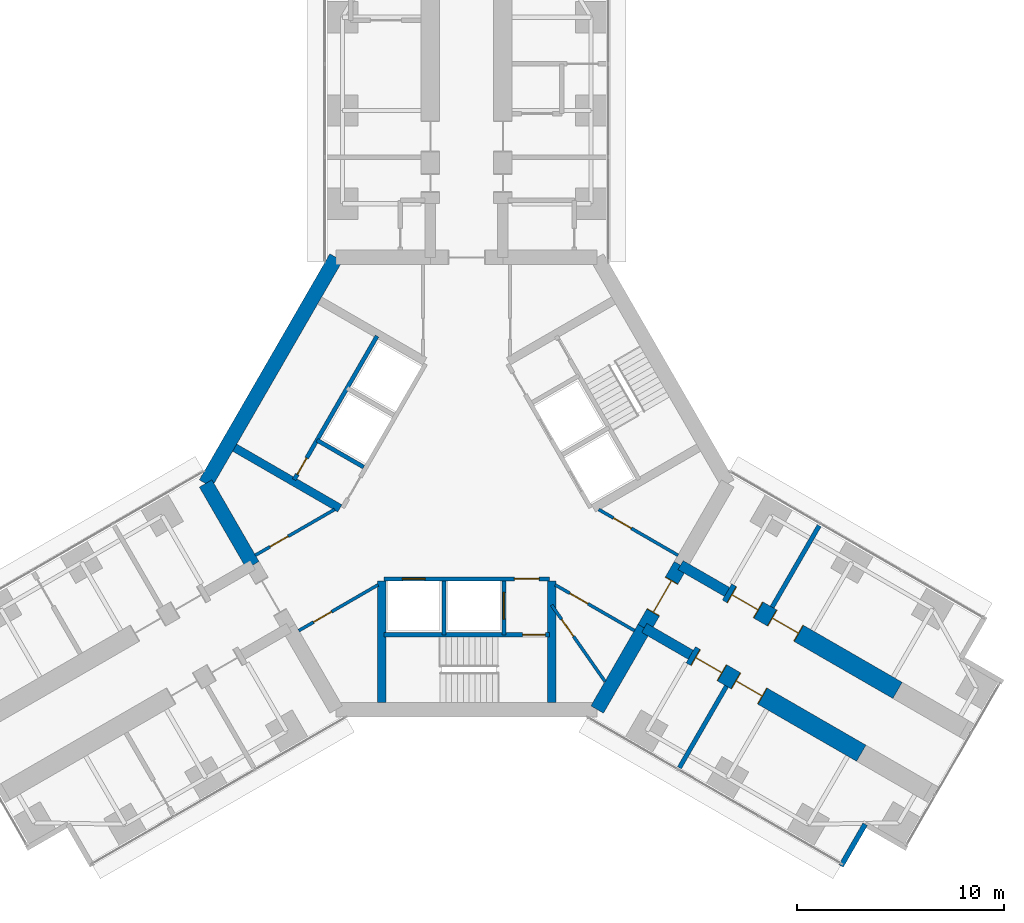
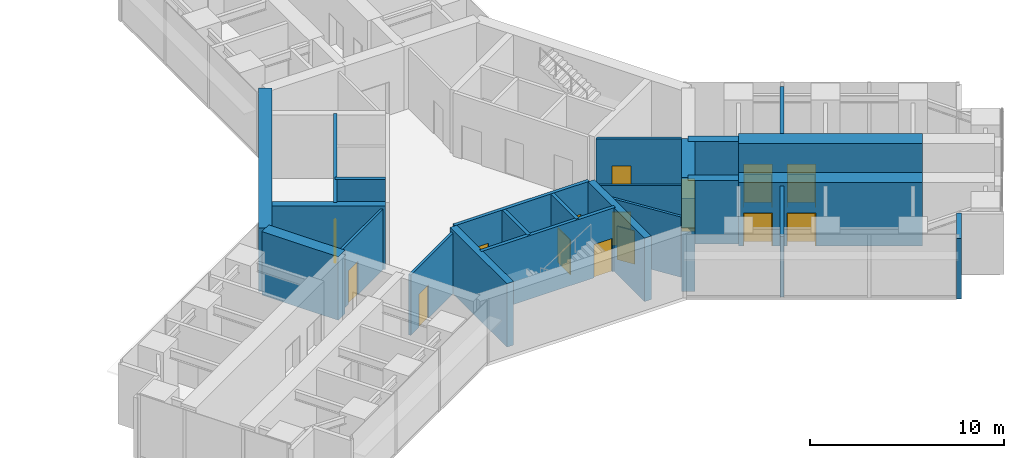
# One storey, part 19 of 22: 25 walls, 15 doors, 15 openings.
"""IFC4 building model written with IfcOpenShell, lengths in metres."""

from ifc_helpers import new_model, si_unit, direction, frame, frame_2d, origin, place, context, subcontext, project, spatial, rectangle, extrude, material, layer, layer_set, type_object, element, fill, save


model = new_model("IFC4")

# Units and contexts
model_context = context("Model", 3, precision=1e-05, world=origin(), true_north=direction((0.0, 1.0)))
body_context = subcontext(model_context, "Body", "Model", "MODEL_VIEW")
ifc_project = project(units=[si_unit("LENGTHUNIT", "METRE"), si_unit("AREAUNIT", "SQUARE_METRE"), si_unit("VOLUMEUNIT", "CUBIC_METRE"), si_unit("PLANEANGLEUNIT", "RADIAN"), si_unit("MASSUNIT", "GRAM", prefix="KILO")], contexts=[model_context])

# Site, building, storey
site_placement = place(None, origin())
site = spatial("IfcSite", under=ifc_project, at=site_placement, CompositionType="ELEMENT")
building_placement = place(site_placement, origin())
building = spatial("IfcBuilding", under=site, at=building_placement, Name="Upepo Twin Towers", CompositionType="ELEMENT")
storey_placement = place(building_placement, frame((0.0, 0.0, 40.5)))
storey = spatial("IfcBuildingStorey", under=building, at=storey_placement, Name="L09", CompositionType="ELEMENT", Elevation=40.5)

# Walls
ifc_material_1 = material(Name="Concrete blockwork, plastered both faces", Category="masonry")
ifc_layer_1 = layer(ifc_material_1, 0.215087890625)
ifc_layer_set_1 = layer_set([ifc_layer_1], Name="Blockwork partition 215")
wall_type_1 = type_object("IfcWallType", Name="Blockwork partition 215", PredefinedType="PARTITIONING", material=ifc_layer_set_1)
for number, where, z_axis, x_axis, name in (
    (1, (73.239990234375, -23.9697265625, 0.0), (0.0, 0.0, 1.0), (0.499982560684, 0.866035472144, 0.0), "T2 partition CL at 15.75"),
    (2, (71.039794921875, -27.7802734375, 0.0), (0.0, 0.0, 1.0), (-0.499982560684, -0.866035472144, 0.0), "T2 partition CR at 15.75"),
):
    element("IfcWall", number, at=place(storey_placement, frame(where, z_axis=z_axis, x_axis=x_axis)), inside=storey, type_object=wall_type_1, Name=name, PredefinedType="PARTITIONING", context=body_context, shape_type="SweptSolid", body=[
        extrude(rectangle(XDim=4.550048828125, YDim=0.215087890625, at=frame_2d((2.27490234375, 0.0))), origin(), (0.0, 0.0, 1.0), 3.800048828125),
    ])
ifc_material_2 = material(Name="Concrete C60/75", Category="concrete")
ifc_layer_2 = layer(ifc_material_2, 0.5)
ifc_layer_set_2 = layer_set([ifc_layer_2], Name="Concrete C60/75")
wall_type_2 = type_object("IfcWallType", Name="Buttress wall 500 RC", PredefinedType="SHEAR", material=ifc_layer_set_2)
for number, where, z_axis, x_axis, name in (
    (3, (68.82177734375, -21.938720703125, 0.0), (0.0, 0.0, 1.0), (0.866072649678, -0.499918158782, 0.0), "T2 wing C buttress wall L"),
    (4, (67.07177734375, -24.9697265625, 0.0), (0.0, 0.0, 1.0), (0.866031863473, -0.499988811324, 0.0), "T2 wing C buttress wall R"),
):
    element("IfcWall", number, at=place(storey_placement, frame(where, z_axis=z_axis, x_axis=x_axis)), inside=storey, type_object=wall_type_2, Name=name, PredefinedType="SHEAR", context=body_context, shape_type="SweptSolid", body=[
        extrude(rectangle(XDim=2.591796875, YDim=0.5, at=frame_2d((1.2958984375, 0.0))), origin(), (0.0, 0.0, 1.0), 4.0),
    ])

# Wall, openings, doors
ifc_material_3 = material(Name="Concrete C60/75", Category="concrete")
ifc_layer_3 = layer(ifc_material_3, 0.89990234375)
ifc_layer_set_3 = layer_set([ifc_layer_3], Name="Concrete C60/75")
wall_type_3 = type_object("IfcWallType", Name="Buttress wall 900 RC", PredefinedType="SHEAR", material=ifc_layer_set_3)
wall_1_placement = place(storey_placement, frame((71.06640625, -23.234375, 0.0), z_axis=(0.0, 0.0, 1.0), x_axis=(0.86602681393, -0.499997557548, 0.0)))
wall_1 = element("IfcWall", 5, at=wall_1_placement, inside=storey, type_object=wall_type_3, Name="T2 wing C buttress wall L part 2", PredefinedType="SHEAR", context=body_context, shape_type="SweptSolid", body=[
    extrude(rectangle(XDim=9.5, YDim=0.89990234375, at=frame_2d((4.75, 0.0))), origin(), (0.0, 0.0, 1.0), 4.0),
])
opening_1_placement = place(wall_1_placement, frame((0.25, 0.0, 0.0)))
opening_1 = element("IfcOpeningElement", 6, at=opening_1_placement, cuts=wall_1, Name="Opening D13", PredefinedType="OPENING", context=body_context, shape_type="SweptSolid", body=[
    extrude(rectangle(XDim=1.5, YDim=2.10009765625, at=frame_2d((0.75, 1.050048828125))), frame((0.0, 0.4599609375, 0.0), z_axis=(0.0, -1.0, 0.0), x_axis=(1.0, 0.0, 0.0)), (0.0, 0.0, 1.0), 0.919921875),
])
opening_2_placement = place(wall_1_placement, frame((2.5, 0.0, 0.0)))
opening_2 = element("IfcOpeningElement", 7, at=opening_2_placement, cuts=wall_1, Name="Opening D13", PredefinedType="OPENING", context=body_context, shape_type="SweptSolid", body=[
    extrude(rectangle(XDim=1.5, YDim=2.10009765625, at=frame_2d((0.75, 1.050048828125))), frame((0.0, 0.4599609375, 0.0), z_axis=(0.0, -1.0, 0.0), x_axis=(1.0, 0.0, 0.0)), (0.0, 0.0, 1.0), 0.919921875),
])
ifc_material_4 = material(Name="Timber doorset", Category="wood")
door_type_1 = type_object("IfcDoorType", Name="Double door 1500 FD30", OperationType="DOUBLE_DOOR_SINGLE_SWING", PredefinedType="DOOR", material=ifc_material_4)
door_1_placement = place(opening_1_placement, origin())
door_1 = element("IfcDoor", 8, at=door_1_placement, inside=storey, type_object=door_type_1, Name="T2 L09 tutorial room door", OperationType="DOUBLE_DOOR_SINGLE_SWING", OverallHeight=2.10009765625, OverallWidth=1.5, PredefinedType="DOOR", context=body_context, shape_type="SweptSolid", body=[
    extrude(rectangle(XDim=1.42, YDim=2.06009765625, at=frame_2d((0.75, 1.030029296875))), frame((0.0, 0.02490234375, 0.0), z_axis=(0.0, -1.0, 0.0), x_axis=(1.0, 0.0, 0.0)), (0.0, 0.0, 1.0), 0.050048828125),
    extrude(rectangle(XDim=0.04, YDim=2.10009765625, at=frame_2d((0.02001953125, 1.050048828125))), frame((0.0, 0.44970703125, 0.0), z_axis=(0.0, -1.0, 0.0), x_axis=(1.0, 0.0, 0.0)), (0.0, 0.0, 1.0), 0.8994140625),
    extrude(rectangle(XDim=0.04, YDim=2.10009765625, at=frame_2d((1.47998046875, 1.050048828125))), frame((0.0, 0.44970703125, 0.0), z_axis=(0.0, -1.0, 0.0), x_axis=(1.0, 0.0, 0.0)), (0.0, 0.0, 1.0), 0.8994140625),
    extrude(rectangle(XDim=1.42, YDim=0.04, at=frame_2d((0.75, 2.080078125))), frame((0.0, 0.44970703125, 0.0), z_axis=(0.0, -1.0, 0.0), x_axis=(1.0, 0.0, 0.0)), (0.0, 0.0, 1.0), 0.8994140625),
])
fill(opening_1, door_1)
door_2_placement = place(opening_2_placement, origin())
door_2 = element("IfcDoor", 9, at=door_2_placement, inside=storey, type_object=door_type_1, Name="T2 L09 lecture room door", OperationType="DOUBLE_DOOR_SINGLE_SWING", OverallHeight=2.10009765625, OverallWidth=1.5, PredefinedType="DOOR", context=body_context, shape_type="SweptSolid", body=[
    extrude(rectangle(XDim=1.42, YDim=2.06009765625, at=frame_2d((0.75, 1.030029296875))), frame((0.0, 0.02490234375, 0.0), z_axis=(0.0, -1.0, 0.0), x_axis=(1.0, 0.0, 0.0)), (0.0, 0.0, 1.0), 0.050048828125),
    extrude(rectangle(XDim=0.04, YDim=2.10009765625, at=frame_2d((0.02001953125, 1.050048828125))), frame((0.0, 0.44970703125, 0.0), z_axis=(0.0, -1.0, 0.0), x_axis=(1.0, 0.0, 0.0)), (0.0, 0.0, 1.0), 0.8994140625),
    extrude(rectangle(XDim=0.04, YDim=2.10009765625, at=frame_2d((1.47998046875, 1.050048828125))), frame((0.0, 0.44970703125, 0.0), z_axis=(0.0, -1.0, 0.0), x_axis=(1.0, 0.0, 0.0)), (0.0, 0.0, 1.0), 0.8994140625),
    extrude(rectangle(XDim=1.42, YDim=0.04, at=frame_2d((0.75, 2.080078125))), frame((0.0, 0.44970703125, 0.0), z_axis=(0.0, -1.0, 0.0), x_axis=(1.0, 0.0, 0.0)), (0.0, 0.0, 1.0), 0.8994140625),
])
fill(opening_2, door_2)

wall_2_placement = place(storey_placement, frame((69.31640625, -26.265625, 0.0), z_axis=(0.0, 0.0, 1.0), x_axis=(0.86602681393, -0.499997557548, 0.0)))
wall_2 = element("IfcWall", 10, at=wall_2_placement, inside=storey, type_object=wall_type_3, Name="T2 wing C buttress wall R part 2", PredefinedType="SHEAR", context=body_context, shape_type="SweptSolid", body=[
    extrude(rectangle(XDim=9.5, YDim=0.89990234375, at=frame_2d((4.75, 0.0))), origin(), (0.0, 0.0, 1.0), 4.0),
])
opening_3_placement = place(wall_2_placement, frame((0.25, 0.0, 0.0)))
opening_3 = element("IfcOpeningElement", 11, at=opening_3_placement, cuts=wall_2, Name="Opening D13", PredefinedType="OPENING", context=body_context, shape_type="SweptSolid", body=[
    extrude(rectangle(XDim=1.5, YDim=2.10009765625, at=frame_2d((0.75, 1.050048828125))), frame((0.0, 0.4599609375, 0.0), z_axis=(0.0, -1.0, 0.0), x_axis=(1.0, 0.0, 0.0)), (0.0, 0.0, 1.0), 0.919921875),
])
opening_4_placement = place(wall_2_placement, frame((2.5, 0.0, 0.0)))
opening_4 = element("IfcOpeningElement", 12, at=opening_4_placement, cuts=wall_2, Name="Opening D13", PredefinedType="OPENING", context=body_context, shape_type="SweptSolid", body=[
    extrude(rectangle(XDim=1.5, YDim=2.10009765625, at=frame_2d((0.75, 1.050048828125))), frame((0.0, 0.4599609375, 0.0), z_axis=(0.0, -1.0, 0.0), x_axis=(1.0, 0.0, 0.0)), (0.0, 0.0, 1.0), 0.919921875),
])
door_3_placement = place(opening_3_placement, origin())
door_3 = element("IfcDoor", 13, at=door_3_placement, inside=storey, type_object=door_type_1, Name="T2 L09 seminar room door", OperationType="DOUBLE_DOOR_SINGLE_SWING", OverallHeight=2.10009765625, OverallWidth=1.5, PredefinedType="DOOR", context=body_context, shape_type="SweptSolid", body=[
    extrude(rectangle(XDim=1.42, YDim=2.06009765625, at=frame_2d((0.75, 1.030029296875))), frame((0.0, 0.02490234375, 0.0), z_axis=(0.0, -1.0, 0.0), x_axis=(1.0, 0.0, 0.0)), (0.0, 0.0, 1.0), 0.050048828125),
    extrude(rectangle(XDim=0.04, YDim=2.10009765625, at=frame_2d((0.02001953125, 1.050048828125))), frame((0.0, 0.44970703125, 0.0), z_axis=(0.0, -1.0, 0.0), x_axis=(1.0, 0.0, 0.0)), (0.0, 0.0, 1.0), 0.8994140625),
    extrude(rectangle(XDim=0.04, YDim=2.10009765625, at=frame_2d((1.47998046875, 1.050048828125))), frame((0.0, 0.44970703125, 0.0), z_axis=(0.0, -1.0, 0.0), x_axis=(1.0, 0.0, 0.0)), (0.0, 0.0, 1.0), 0.8994140625),
    extrude(rectangle(XDim=1.42, YDim=0.04, at=frame_2d((0.75, 2.080078125))), frame((0.0, 0.44970703125, 0.0), z_axis=(0.0, -1.0, 0.0), x_axis=(1.0, 0.0, 0.0)), (0.0, 0.0, 1.0), 0.8994140625),
])
fill(opening_3, door_3)
door_4_placement = place(opening_4_placement, origin())
door_4 = element("IfcDoor", 14, at=door_4_placement, inside=storey, type_object=door_type_1, Name="T2 L09 lecture room door", OperationType="DOUBLE_DOOR_SINGLE_SWING", OverallHeight=2.10009765625, OverallWidth=1.5, PredefinedType="DOOR", context=body_context, shape_type="SweptSolid", body=[
    extrude(rectangle(XDim=1.42, YDim=2.06009765625, at=frame_2d((0.75, 1.030029296875))), frame((0.0, 0.02490234375, 0.0), z_axis=(0.0, -1.0, 0.0), x_axis=(1.0, 0.0, 0.0)), (0.0, 0.0, 1.0), 0.050048828125),
    extrude(rectangle(XDim=0.04, YDim=2.10009765625, at=frame_2d((0.02001953125, 1.050048828125))), frame((0.0, 0.44970703125, 0.0), z_axis=(0.0, -1.0, 0.0), x_axis=(1.0, 0.0, 0.0)), (0.0, 0.0, 1.0), 0.8994140625),
    extrude(rectangle(XDim=0.04, YDim=2.10009765625, at=frame_2d((1.47998046875, 1.050048828125))), frame((0.0, 0.44970703125, 0.0), z_axis=(0.0, -1.0, 0.0), x_axis=(1.0, 0.0, 0.0)), (0.0, 0.0, 1.0), 0.8994140625),
    extrude(rectangle(XDim=1.42, YDim=0.04, at=frame_2d((0.75, 2.080078125))), frame((0.0, 0.44970703125, 0.0), z_axis=(0.0, -1.0, 0.0), x_axis=(1.0, 0.0, 0.0)), (0.0, 0.0, 1.0), 0.8994140625),
])
fill(opening_4, door_4)

# Walls
ifc_material_5 = material(Name="Concrete C60/75", Category="concrete")
ifc_layer_4 = layer(ifc_material_5, 0.699951171875)
ifc_layer_set_4 = layer_set([ifc_layer_4], Name="Concrete C60/75")
wall_type_4 = type_object("IfcWallType", Name="Core wall 700 RC", PredefinedType="SHEAR", material=ifc_layer_set_4)
wall_3_placement = place(storey_placement, frame((52.2021484375, -7.091552734375, 0.0), z_axis=(0.0, 0.0, 1.0), x_axis=(-0.500005998175, -0.866021940709, 0.0)))
element("IfcWall", 15, at=wall_3_placement, inside=storey, type_object=wall_type_4, Name="T2 core wall 060", PredefinedType="SHEAR", context=body_context, shape_type="SweptSolid", body=[
    extrude(rectangle(XDim=12.595947265625, YDim=0.699951171875, at=frame_2d((6.2978515625, 0.0))), origin(), (0.0, 0.0, 1.0), 4.0),
])
for number, where, z_axis, x_axis, name in (
    (16, (45.904052734375, -18.0, 0.0), (0.0, 0.0, 1.0), (0.500024481964, -0.866011268655, 0.0), "T2 core wall 120 R"),
    (17, (64.7978515625, -28.908447265625, 0.0), (0.0, 0.0, 1.0), (0.499984222037, 0.866034513004, 0.0), "T2 core wall 240 R"),
):
    element("IfcWall", number, at=place(storey_placement, frame(where, z_axis=z_axis, x_axis=x_axis)), inside=storey, type_object=wall_type_4, Name=name, PredefinedType="SHEAR", context=body_context, shape_type="SweptSolid", body=[
        extrude(rectangle(XDim=4.548095703125, YDim=0.699951171875, at=frame_2d((2.27392578125, 0.0))), origin(), (0.0, 0.0, 1.0), 4.0),
    ])

# Wall, opening, door
wall_4_placement = place(storey_placement, frame((67.07177734375, -24.9697265625, 0.0), z_axis=(0.0, 0.0, 1.0), x_axis=(0.500010275428, 0.866019471182, 0.0)))
wall_4 = element("IfcWall", 18, at=wall_4_placement, inside=storey, type_object=wall_type_4, Name="T2 core wall 240", PredefinedType="SHEAR", context=body_context, shape_type="SweptSolid", body=[
    extrude(rectangle(XDim=3.5, YDim=0.699951171875, at=frame_2d((1.75, 0.0))), origin(), (0.0, 0.0, 1.0), 4.0),
])
opening_5_placement = place(wall_4_placement, frame((0.85009765625, 0.0, 0.0)))
opening_5 = element("IfcOpeningElement", 19, at=opening_5_placement, cuts=wall_4, Name="Opening D2", PredefinedType="OPENING", context=body_context, shape_type="SweptSolid", body=[
    extrude(rectangle(XDim=1.800048828125, YDim=2.10009765625, at=frame_2d((0.89990234375, 1.050048828125))), frame((0.0, 0.35986328125, 0.0), z_axis=(0.0, -1.0, 0.0), x_axis=(1.0, 0.0, 0.0)), (0.0, 0.0, 1.0), 0.719970703125),
])
ifc_material_6 = material(Name="Timber doorset", Category="wood")
door_type_2 = type_object("IfcDoorType", Name="Corridor double door 1800 FD60", OperationType="DOUBLE_DOOR_DOUBLE_SWING", PredefinedType="DOOR", material=ifc_material_6)
door_5_placement = place(opening_5_placement, origin())
door_5 = element("IfcDoor", 20, at=door_5_placement, inside=storey, type_object=door_type_2, Name="T2 L09 wing C corridor door", OperationType="DOUBLE_DOOR_DOUBLE_SWING", OverallHeight=2.10009765625, OverallWidth=1.800048828125, PredefinedType="DOOR", context=body_context, shape_type="SweptSolid", body=[
    extrude(rectangle(XDim=1.720048828125, YDim=2.06009765625, at=frame_2d((0.89990234375, 1.030029296875))), frame((0.0, 0.02490234375, 0.0), z_axis=(0.0, -1.0, 0.0), x_axis=(1.0, 0.0, 0.0)), (0.0, 0.0, 1.0), 0.050048828125),
    extrude(rectangle(XDim=0.04, YDim=2.10009765625, at=frame_2d((0.02001953125, 1.050048828125))), frame((0.0, 0.349609375, 0.0), z_axis=(0.0, -1.0, 0.0), x_axis=(1.0, 0.0, 0.0)), (0.0, 0.0, 1.0), 0.699462890625),
    extrude(rectangle(XDim=0.04, YDim=2.10009765625, at=frame_2d((1.780029296875, 1.050048828125))), frame((0.0, 0.349609375, 0.0), z_axis=(0.0, -1.0, 0.0), x_axis=(1.0, 0.0, 0.0)), (0.0, 0.0, 1.0), 0.699462890625),
    extrude(rectangle(XDim=1.720048828125, YDim=0.04, at=frame_2d((0.89990234375, 2.080078125))), frame((0.0, 0.349609375, 0.0), z_axis=(0.0, -1.0, 0.0), x_axis=(1.0, 0.0, 0.0)), (0.0, 0.0, 1.0), 0.699462890625),
])
fill(opening_5, door_5)

# Walls
ifc_material_7 = material(Name="Blockwork with anodised aluminium cladding", Category="masonry")
ifc_layer_5 = layer(ifc_material_7, 0.25)
ifc_layer_set_5 = layer_set([ifc_layer_5], Name="Notch cladding wall 250, pale metal")
wall_type_5 = type_object("IfcWallType", Name="Notch cladding wall 250, pale metal", PredefinedType="STANDARD", material=ifc_layer_set_5)
wall_5_placement = place(storey_placement, frame((76.5673828125, -36.456298828125, 0.0), z_axis=(0.0, 0.0, 1.0), x_axis=(0.500046648681, 0.865998469481, 0.0)))
element("IfcWall", 21, at=wall_5_placement, inside=storey, type_object=wall_type_5, Name="T2 L09 wing C notch wall R1", PredefinedType="STANDARD", context=body_context, shape_type="SweptSolid", body=[
    extrude(rectangle(XDim=2.324951171875, YDim=0.25, at=frame_2d((1.16259765625, 0.0))), origin(), (0.0, 0.0, 1.0), 3.800048828125),
])
ifc_material_8 = material(Name="Concrete C40/50", Category="concrete")
ifc_layer_6 = layer(ifc_material_8, 0.199951171875)
ifc_layer_set_6 = layer_set([ifc_layer_6], Name="Concrete C40/50")
wall_type_6 = type_object("IfcWallType", Name="Shaft wall 200 RC", PredefinedType="SHEAR", material=ifc_layer_set_6)
wall_6_placement = place(storey_placement, frame((53.52978515625, -17.208740234375, 0.0), z_axis=(0.0, 0.0, 1.0), x_axis=(-0.866062058628, 0.499936506574, 0.0)))
element("IfcWall", 22, at=wall_6_placement, inside=storey, type_object=wall_type_6, Name="T2 core W60 lobby wall", PredefinedType="SHEAR", context=body_context, shape_type="SweptSolid", body=[
    extrude(rectangle(XDim=2.599853515625, YDim=0.199951171875, at=frame_2d((1.2998046875, 0.0))), origin(), (0.0, 0.0, 1.0), 4.0),
])

# Wall, opening, door
wall_7_placement = place(storey_placement, frame((54.177978515625, -10.885986328125, 0.0), z_axis=(0.0, 0.0, 1.0), x_axis=(-0.49999894854, -0.866026010844, 0.0)))
wall_7 = element("IfcWall", 23, at=wall_7_placement, inside=storey, type_object=wall_type_6, Name="T2 core W60 stair wall", PredefinedType="SHEAR", context=body_context, shape_type="SweptSolid", body=[
    extrude(rectangle(XDim=8.0, YDim=0.199951171875, at=frame_2d((4.0, 0.0))), origin(), (0.0, 0.0, 1.0), 4.0),
])
opening_6_placement = place(wall_7_placement, frame((6.800048828125, 0.0, 0.0)))
opening_6 = element("IfcOpeningElement", 24, at=opening_6_placement, cuts=wall_7, Name="Opening D9", PredefinedType="OPENING", context=body_context, shape_type="SweptSolid", body=[
    extrude(rectangle(XDim=0.89990234375, YDim=2.10009765625, at=frame_2d((0.449951171875, 1.050048828125))), frame((0.0, 0.10986328125, 0.0), z_axis=(0.0, -1.0, 0.0), x_axis=(1.0, 0.0, 0.0)), (0.0, 0.0, 1.0), 0.219970703125),
])
ifc_material_9 = material(Name="Timber doorset", Category="wood")
door_type_3 = type_object("IfcDoorType", Name="Riser door 900 FD60", OperationType="SINGLE_SWING_LEFT", PredefinedType="DOOR", material=ifc_material_9)
door_6_placement = place(opening_6_placement, origin())
door_6 = element("IfcDoor", 25, at=door_6_placement, inside=storey, type_object=door_type_3, Name="T2 L09 riser door", OperationType="SINGLE_SWING_RIGHT", OverallHeight=2.10009765625, OverallWidth=0.89990234375, PredefinedType="DOOR", context=body_context, shape_type="SweptSolid", body=[
    extrude(rectangle(XDim=0.89990234375, YDim=2.10009765625, at=frame_2d((0.449951171875, 1.050048828125))), frame((0.0, 0.02490234375, 0.0), z_axis=(0.0, -1.0, 0.0), x_axis=(1.0, 0.0, 0.0)), (0.0, 0.0, 1.0), 0.050048828125),
])
fill(opening_6, door_6)

# Wall, openings, doors
wall_8_placement = place(storey_placement, frame((54.5, -22.60009765625, 0.0), z_axis=(0.0, 0.0, 1.0), x_axis=(1.0, 0.0, 0.0)))
wall_8 = element("IfcWall", 26, at=wall_8_placement, inside=storey, type_object=wall_type_6, Name="T2 core W180 front wall", PredefinedType="SHEAR", context=body_context, shape_type="SweptSolid", body=[
    extrude(rectangle(XDim=8.0, YDim=0.199951171875, at=frame_2d((4.0, 0.0))), origin(), (0.0, 0.0, 1.0), 4.0),
])
opening_7_placement = place(wall_8_placement, frame((6.300048828125, 0.0, 0.0)))
opening_7 = element("IfcOpeningElement", 27, at=opening_7_placement, cuts=wall_8, Name="Opening D4", PredefinedType="OPENING", context=body_context, shape_type="SweptSolid", body=[
    extrude(rectangle(XDim=1.199951171875, YDim=2.10009765625, at=frame_2d((0.60009765625, 1.050048828125))), frame((0.0, 0.10986328125, 0.0), z_axis=(0.0, -1.0, 0.0), x_axis=(1.0, 0.0, 0.0)), (0.0, 0.0, 1.0), 0.219970703125),
])
opening_8_placement = place(wall_8_placement, frame((0.89990234375, 0.0, 0.0)))
opening_8 = element("IfcOpeningElement", 28, at=opening_8_placement, cuts=wall_8, Name="Opening LD1", PredefinedType="OPENING", context=body_context, shape_type="SweptSolid", body=[
    extrude(rectangle(XDim=1.10009765625, YDim=2.199951171875, at=frame_2d((0.550048828125, 1.10009765625))), frame((0.0, 0.10986328125, 0.0), z_axis=(0.0, -1.0, 0.0), x_axis=(1.0, 0.0, 0.0)), (0.0, 0.0, 1.0), 0.219970703125),
])
ifc_material_10 = material(Name="Steel doorset", Category="steel")
door_type_4 = type_object("IfcDoorType", Name="Lift landing door 1100", OperationType="DOUBLE_DOOR_SLIDING", PredefinedType="DOOR", material=ifc_material_10)
door_7_placement = place(opening_8_placement, origin())
door_7 = element("IfcDoor", 29, at=door_7_placement, inside=storey, type_object=door_type_4, Name="T2 L09 lift SV1 landing door", OperationType="DOUBLE_DOOR_SLIDING", OverallHeight=2.199951171875, OverallWidth=1.10009765625, PredefinedType="DOOR", context=body_context, shape_type="SweptSolid", body=[
    extrude(rectangle(XDim=1.10009765625, YDim=2.199951171875, at=frame_2d((0.550048828125, 1.10009765625))), frame((0.0, 0.02490234375, 0.0), z_axis=(0.0, -1.0, 0.0), x_axis=(1.0, 0.0, 0.0)), (0.0, 0.0, 1.0), 0.050048828125),
])
fill(opening_8, door_7)
ifc_material_11 = material(Name="Timber doorset", Category="wood")
door_type_5 = type_object("IfcDoorType", Name="Lobby door 1200 FD60", OperationType="SINGLE_SWING_LEFT", PredefinedType="DOOR", material=ifc_material_11)
door_8_placement = place(opening_7_placement, origin())
door_8 = element("IfcDoor", 30, at=door_8_placement, inside=storey, type_object=door_type_5, Name="T2 L09 W180 lobby door", OperationType="SINGLE_SWING_RIGHT", OverallHeight=2.10009765625, OverallWidth=1.199951171875, PredefinedType="DOOR", context=body_context, shape_type="SweptSolid", body=[
    extrude(rectangle(XDim=1.199951171875, YDim=2.10009765625, at=frame_2d((0.60009765625, 1.050048828125))), frame((0.0, 0.02490234375, 0.0), z_axis=(0.0, -1.0, 0.0), x_axis=(1.0, 0.0, 0.0)), (0.0, 0.0, 1.0), 0.050048828125),
])
fill(opening_7, door_8)

# Wall
wall_9_placement = place(storey_placement, frame((57.39990234375, -22.699951171875, 0.0), z_axis=(0.0, 0.0, 1.0), x_axis=(0.0, -1.0, 0.0)))
element("IfcWall", 31, at=wall_9_placement, inside=storey, type_object=wall_type_6, Name="T2 core W180 shaft divider", PredefinedType="SHEAR", context=body_context, shape_type="SweptSolid", body=[
    extrude(rectangle(XDim=2.60009765625, YDim=0.199951171875, at=frame_2d((1.300048828125, 0.0))), origin(), (0.0, 0.0, 1.0), 4.0),
])

# Wall, opening, door
wall_10_placement = place(storey_placement, frame((60.300048828125, -22.699951171875, 0.0), z_axis=(0.0, 0.0, 1.0), x_axis=(0.0, -1.0, 0.0)))
wall_10 = element("IfcWall", 32, at=wall_10_placement, inside=storey, type_object=wall_type_6, Name="T2 core W180 lobby wall", PredefinedType="SHEAR", context=body_context, shape_type="SweptSolid", body=[
    extrude(rectangle(XDim=2.60009765625, YDim=0.199951171875, at=frame_2d((1.300048828125, 0.0))), origin(), (0.0, 0.0, 1.0), 4.0),
])
opening_9_placement = place(wall_10_placement, frame((0.550048828125, 0.0, 0.0)))
opening_9 = element("IfcOpeningElement", 33, at=opening_9_placement, cuts=wall_10, Name="Opening LD2", PredefinedType="OPENING", context=body_context, shape_type="SweptSolid", body=[
    extrude(rectangle(XDim=1.300048828125, YDim=2.199951171875, at=frame_2d((0.64990234375, 1.10009765625))), frame((0.0, 0.10986328125, 0.0), z_axis=(0.0, -1.0, 0.0), x_axis=(1.0, 0.0, 0.0)), (0.0, 0.0, 1.0), 0.219970703125),
])
ifc_material_12 = material(Name="Steel doorset", Category="steel")
door_type_6 = type_object("IfcDoorType", Name="Firefighting lift landing door 1300", OperationType="DOUBLE_DOOR_SLIDING", PredefinedType="DOOR", material=ifc_material_12)
door_9_placement = place(opening_9_placement, origin())
door_9 = element("IfcDoor", 34, at=door_9_placement, inside=storey, type_object=door_type_6, Name="T2 L09 firefighting lift landing door", OperationType="DOUBLE_DOOR_SLIDING", OverallHeight=2.199951171875, OverallWidth=1.300048828125, PredefinedType="DOOR", context=body_context, shape_type="SweptSolid", body=[
    extrude(rectangle(XDim=1.300048828125, YDim=2.199951171875, at=frame_2d((0.64990234375, 1.10009765625))), frame((0.0, 0.02490234375, 0.0), z_axis=(0.0, -1.0, 0.0), x_axis=(1.0, 0.0, 0.0)), (0.0, 0.0, 1.0), 0.050048828125),
])
fill(opening_9, door_9)

wall_11_placement = place(storey_placement, frame((54.5, -25.300048828125, 0.0), z_axis=(0.0, 0.0, 1.0), x_axis=(1.0, 0.0, 0.0)))
wall_11 = element("IfcWall", 35, at=wall_11_placement, inside=storey, type_object=wall_type_6, Name="T2 core W180 stair wall", PredefinedType="SHEAR", context=body_context, shape_type="SweptSolid", body=[
    extrude(rectangle(XDim=8.0, YDim=0.199951171875, at=frame_2d((4.0, 0.0))), origin(), (0.0, 0.0, 1.0), 4.0),
])
opening_10_placement = place(wall_11_placement, frame((6.699951171875, 0.0, 0.0)))
opening_10 = element("IfcOpeningElement", 36, at=opening_10_placement, cuts=wall_11, Name="Opening D3", PredefinedType="OPENING", context=body_context, shape_type="SweptSolid", body=[
    extrude(rectangle(XDim=1.10009765625, YDim=2.10009765625, at=frame_2d((0.550048828125, 1.050048828125))), frame((0.0, 0.10986328125, 0.0), z_axis=(0.0, -1.0, 0.0), x_axis=(1.0, 0.0, 0.0)), (0.0, 0.0, 1.0), 0.219970703125),
])
ifc_material_13 = material(Name="Timber doorset", Category="wood")
door_type_7 = type_object("IfcDoorType", Name="Stair door 1100 FD60", OperationType="SINGLE_SWING_LEFT", PredefinedType="DOOR", material=ifc_material_13)
door_10_placement = place(opening_10_placement, origin())
door_10 = element("IfcDoor", 37, at=door_10_placement, inside=storey, type_object=door_type_7, Name="T2 L09 stair door", OperationType="SINGLE_SWING_RIGHT", OverallHeight=2.10009765625, OverallWidth=1.10009765625, PredefinedType="DOOR", context=body_context, shape_type="SweptSolid", body=[
    extrude(rectangle(XDim=1.10009765625, YDim=2.10009765625, at=frame_2d((0.550048828125, 1.050048828125))), frame((0.0, 0.02490234375, 0.0), z_axis=(0.0, -1.0, 0.0), x_axis=(1.0, 0.0, 0.0)), (0.0, 0.0, 1.0), 0.050048828125),
])
fill(opening_10, door_10)

# Walls
ifc_material_14 = material(Name="Concrete C40/50", Category="concrete")
ifc_layer_7 = layer(ifc_material_14, 0.39990234375)
ifc_layer_set_7 = layer_set([ifc_layer_7], Name="Concrete C40/50")
wall_type_7 = type_object("IfcWallType", Name="Shaft wall 400 RC", PredefinedType="SHEAR", material=ifc_layer_set_7)
for number, where, z_axis, x_axis, name in (
    (38, (52.379638671875, -19.20068359375, 0.0), (0.0, 0.0, 1.0), (-0.866023886965, 0.500002627198, 0.0), "T2 core W60 side wall N"),
    (39, (62.60009765625, -22.699951171875, 0.0), (0.0, 0.0, 1.0), (0.0, -1.0, 0.0), "T2 core W180 side wall N"),
    (40, (54.39990234375, -22.699951171875, 0.0), (0.0, 0.0, 1.0), (0.0, -1.0, 0.0), "T2 core W180 side wall S"),
):
    element("IfcWall", number, at=place(storey_placement, frame(where, z_axis=z_axis, x_axis=x_axis)), inside=storey, type_object=wall_type_7, Name=name, PredefinedType="SHEAR", context=body_context, shape_type="SweptSolid", body=[
        extrude(rectangle(XDim=5.8583984375, YDim=0.39990234375, at=frame_2d((2.92919921875, 0.0))), origin(), (0.0, 0.0, 1.0), 4.0),
    ])

# Wall, opening, door
ifc_material_15 = material(Name="Gypsum board on steel studs", Category="steel")
ifc_layer_8 = layer(ifc_material_15, 0.14990234375)
ifc_layer_set_8 = layer_set([ifc_layer_8], Name="Teaching partition 150 acoustic")
wall_type_8 = type_object("IfcWallType", Name="Teaching partition 150 acoustic", PredefinedType="PARTITIONING", material=ifc_layer_set_8)
wall_12_placement = place(storey_placement, frame((48.297607421875, -21.465576171875, 0.0), z_axis=(0.0, 0.0, 1.0), x_axis=(0.866021148949, 0.500007369519, 0.0)))
wall_12 = element("IfcWall", 41, at=wall_12_placement, inside=storey, type_object=wall_type_8, Name="T2 core room partition 1", PredefinedType="PARTITIONING", context=body_context, shape_type="SweptSolid", body=[
    extrude(rectangle(XDim=4.42578125, YDim=0.14990234375, at=frame_2d((2.212890625, 0.0))), origin(), (0.0, 0.0, 1.0), 3.800048828125),
])
opening_11_placement = place(wall_12_placement, frame((0.82763671875, 0.0, 0.0)))
opening_11 = element("IfcOpeningElement", 42, at=opening_11_placement, cuts=wall_12, Name="Opening D1", PredefinedType="OPENING", context=body_context, shape_type="SweptSolid", body=[
    extrude(rectangle(XDim=1.0, YDim=2.10009765625, at=frame_2d((0.5, 1.050048828125))), frame((0.0, 0.0849609375, 0.0), z_axis=(0.0, -1.0, 0.0), x_axis=(1.0, 0.0, 0.0)), (0.0, 0.0, 1.0), 0.169921875),
])
ifc_material_16 = material(Name="Timber doorset", Category="wood")
door_type_8 = type_object("IfcDoorType", Name="Room door 1000 FD30", OperationType="SINGLE_SWING_LEFT", PredefinedType="DOOR", material=ifc_material_16)
door_11_placement = place(opening_11_placement, origin())
door_11 = element("IfcDoor", 43, at=door_11_placement, inside=storey, type_object=door_type_8, Name="T2 L09 core room door K1", OperationType="SINGLE_SWING_LEFT", OverallHeight=2.10009765625, OverallWidth=1.0, PredefinedType="DOOR", context=body_context, shape_type="SweptSolid", body=[
    extrude(rectangle(XDim=1.0, YDim=2.10009765625, at=frame_2d((0.5, 1.050048828125))), frame((0.0, 0.02490234375, 0.0), z_axis=(0.0, -1.0, 0.0), x_axis=(1.0, 0.0, 0.0)), (0.0, 0.0, 1.0), 0.050048828125),
])
fill(opening_11, door_11)

wall_13_placement = place(storey_placement, frame((64.86962890625, -19.252685546875, 0.0), z_axis=(0.0, 0.0, 1.0), x_axis=(0.866021148949, -0.500007369519, 0.0)))
wall_13 = element("IfcWall", 44, at=wall_13_placement, inside=storey, type_object=wall_type_8, Name="T2 core room partition 4", PredefinedType="PARTITIONING", context=body_context, shape_type="SweptSolid", body=[
    extrude(rectangle(XDim=4.42578125, YDim=0.14990234375, at=frame_2d((2.212890625, 0.0))), origin(), (0.0, 0.0, 1.0), 3.800048828125),
])
opening_12_placement = place(wall_13_placement, frame((0.82763671875, 0.0, 0.0)))
opening_12 = element("IfcOpeningElement", 45, at=opening_12_placement, cuts=wall_13, Name="Opening D1", PredefinedType="OPENING", context=body_context, shape_type="SweptSolid", body=[
    extrude(rectangle(XDim=1.0, YDim=2.10009765625, at=frame_2d((0.5, 1.050048828125))), frame((0.0, 0.0849609375, 0.0), z_axis=(0.0, -1.0, 0.0), x_axis=(1.0, 0.0, 0.0)), (0.0, 0.0, 1.0), 0.169921875),
])
door_12_placement = place(opening_12_placement, origin())
door_12 = element("IfcDoor", 46, at=door_12_placement, inside=storey, type_object=door_type_8, Name="T2 L09 core room door K5", OperationType="SINGLE_SWING_LEFT", OverallHeight=2.10009765625, OverallWidth=1.0, PredefinedType="DOOR", context=body_context, shape_type="SweptSolid", body=[
    extrude(rectangle(XDim=1.0, YDim=2.10009765625, at=frame_2d((0.5, 1.050048828125))), frame((0.0, 0.02490234375, 0.0), z_axis=(0.0, -1.0, 0.0), x_axis=(1.0, 0.0, 0.0)), (0.0, 0.0, 1.0), 0.050048828125),
])
fill(opening_12, door_12)

wall_14_placement = place(storey_placement, frame((66.6025390625, -25.102783203125, 0.0), z_axis=(0.0, 0.0, 1.0), x_axis=(-0.866021148949, 0.500007369519, 0.0)))
wall_14 = element("IfcWall", 47, at=wall_14_placement, inside=storey, type_object=wall_type_8, Name="T2 core room partition 5", PredefinedType="PARTITIONING", context=body_context, shape_type="SweptSolid", body=[
    extrude(rectangle(XDim=4.42578125, YDim=0.14990234375, at=frame_2d((2.212890625, 0.0))), origin(), (0.0, 0.0, 1.0), 3.800048828125),
])
opening_13_placement = place(wall_14_placement, frame((2.597900390625, 0.0, 0.0)))
opening_13 = element("IfcOpeningElement", 48, at=opening_13_placement, cuts=wall_14, Name="Opening D1", PredefinedType="OPENING", context=body_context, shape_type="SweptSolid", body=[
    extrude(rectangle(XDim=1.0, YDim=2.10009765625, at=frame_2d((0.5, 1.050048828125))), frame((0.0, 0.0849609375, 0.0), z_axis=(0.0, -1.0, 0.0), x_axis=(1.0, 0.0, 0.0)), (0.0, 0.0, 1.0), 0.169921875),
])
door_13_placement = place(opening_13_placement, origin())
door_13 = element("IfcDoor", 49, at=door_13_placement, inside=storey, type_object=door_type_8, Name="T2 L09 core room door K4", OperationType="SINGLE_SWING_RIGHT", OverallHeight=2.10009765625, OverallWidth=1.0, PredefinedType="DOOR", context=body_context, shape_type="SweptSolid", body=[
    extrude(rectangle(XDim=1.0, YDim=2.10009765625, at=frame_2d((0.5, 1.050048828125))), frame((0.0, 0.02490234375, 0.0), z_axis=(0.0, -1.0, 0.0), x_axis=(1.0, 0.0, 0.0)), (0.0, 0.0, 1.0), 0.050048828125),
])
fill(opening_13, door_13)

wall_15_placement = place(storey_placement, frame((54.230224609375, -22.889892578125, 0.0), z_axis=(0.0, 0.0, 1.0), x_axis=(-0.866021148949, -0.500007369519, 0.0)))
wall_15 = element("IfcWall", 50, at=wall_15_placement, inside=storey, type_object=wall_type_8, Name="T2 core room partition 6", PredefinedType="PARTITIONING", context=body_context, shape_type="SweptSolid", body=[
    extrude(rectangle(XDim=4.42578125, YDim=0.14990234375, at=frame_2d((2.212890625, 0.0))), origin(), (0.0, 0.0, 1.0), 3.800048828125),
])
opening_14_placement = place(wall_15_placement, frame((2.597900390625, 0.0, 0.0)))
opening_14 = element("IfcOpeningElement", 51, at=opening_14_placement, cuts=wall_15, Name="Opening D1", PredefinedType="OPENING", context=body_context, shape_type="SweptSolid", body=[
    extrude(rectangle(XDim=1.0, YDim=2.10009765625, at=frame_2d((0.5, 1.050048828125))), frame((0.0, 0.0849609375, 0.0), z_axis=(0.0, -1.0, 0.0), x_axis=(1.0, 0.0, 0.0)), (0.0, 0.0, 1.0), 0.169921875),
])
door_14_placement = place(opening_14_placement, origin())
door_14 = element("IfcDoor", 52, at=door_14_placement, inside=storey, type_object=door_type_8, Name="T2 L09 core room door K2", OperationType="SINGLE_SWING_RIGHT", OverallHeight=2.10009765625, OverallWidth=1.0, PredefinedType="DOOR", context=body_context, shape_type="SweptSolid", body=[
    extrude(rectangle(XDim=1.0, YDim=2.10009765625, at=frame_2d((0.5, 1.050048828125))), frame((0.0, 0.02490234375, 0.0), z_axis=(0.0, -1.0, 0.0), x_axis=(1.0, 0.0, 0.0)), (0.0, 0.0, 1.0), 0.050048828125),
])
fill(opening_14, door_14)

wall_16_placement = place(storey_placement, frame((62.60009765625, -23.865478515625, 0.0), z_axis=(0.0, 0.0, 1.0), x_axis=(0.572915783016, -0.819614241928, 0.0)))
wall_16 = element("IfcWall", 53, at=wall_16_placement, inside=storey, type_object=wall_type_8, Name="T2 core room partition 7", PredefinedType="PARTITIONING", context=body_context, shape_type="SweptSolid", body=[
    extrude(rectangle(XDim=4.497802734375, YDim=0.14990234375, at=frame_2d((2.2490234375, 0.0))), origin(), (0.0, 0.0, 1.0), 3.800048828125),
])
opening_15_placement = place(wall_16_placement, frame((0.849365234375, 0.0, 0.0)))
opening_15 = element("IfcOpeningElement", 54, at=opening_15_placement, cuts=wall_16, Name="Opening D1", PredefinedType="OPENING", context=body_context, shape_type="SweptSolid", body=[
    extrude(rectangle(XDim=1.0, YDim=2.10009765625, at=frame_2d((0.5, 1.050048828125))), frame((0.0, 0.0849609375, 0.0), z_axis=(0.0, -1.0, 0.0), x_axis=(1.0, 0.0, 0.0)), (0.0, 0.0, 1.0), 0.169921875),
])
door_15_placement = place(opening_15_placement, origin())
door_15 = element("IfcDoor", 55, at=door_15_placement, inside=storey, type_object=door_type_8, Name="T2 L09 core room door K3", OperationType="SINGLE_SWING_LEFT", OverallHeight=2.10009765625, OverallWidth=1.0, PredefinedType="DOOR", context=body_context, shape_type="SweptSolid", body=[
    extrude(rectangle(XDim=1.0, YDim=2.10009765625, at=frame_2d((0.5, 1.050048828125))), frame((0.0, 0.02490234375, 0.0), z_axis=(0.0, -1.0, 0.0), x_axis=(1.0, 0.0, 0.0)), (0.0, 0.0, 1.0), 0.050048828125),
])
fill(opening_15, door_15)

save(model, "model.ifc")
